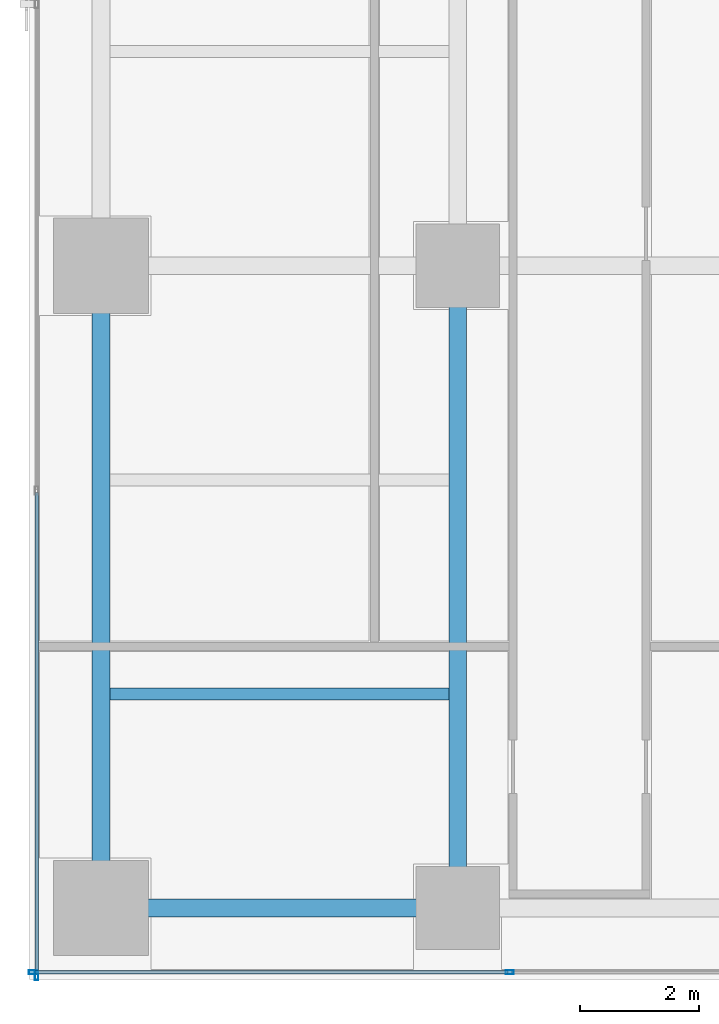
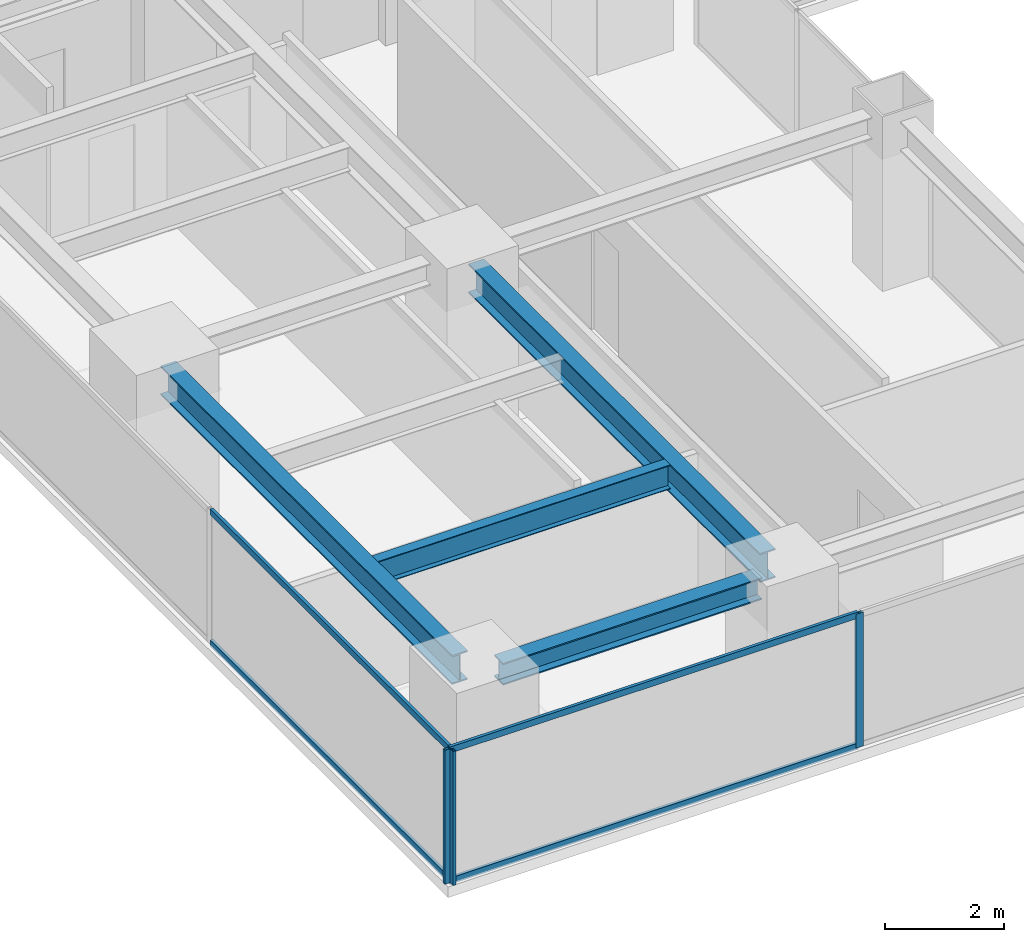
# One storey, part 2 of 29: 7 members, 4 beams, 2 elements without a shape of their own.
"""IFC4 building model written with IfcOpenShell, lengths in metres."""

from ifc_helpers import new_model, si_unit, direction, frame, origin, origin_2d, place, context, subcontext, project, spatial, hollow_rectangle, i_section, extrude, source, transform, mapped, material, layer, layer_set, material_profile, profile_set, type_object, element, aggregate, save


model = new_model("IFC4")

# Units and contexts
model_context = context("Model", 3, precision=1e-05, world=origin(), true_north=direction((0.0, 1.0)))
body_context = subcontext(model_context, "Body", "Model", "MODEL_VIEW")
ifc_project = project(units=[si_unit("LENGTHUNIT", "METRE"), si_unit("AREAUNIT", "SQUARE_METRE"), si_unit("VOLUMEUNIT", "CUBIC_METRE"), si_unit("PLANEANGLEUNIT", "RADIAN"), si_unit("MASSUNIT", "GRAM", prefix="KILO")], contexts=[model_context])

# Site, building, storey
site_placement = place(None, origin())
site = spatial("IfcSite", under=ifc_project, at=site_placement, CompositionType="ELEMENT")
building_placement = place(site_placement, origin())
building = spatial("IfcBuilding", under=site, at=building_placement, Name="Sumidabori Civic Tower", CompositionType="ELEMENT")
storey_placement = place(building_placement, frame((0.0, 0.0, 203.60009765625)))
storey = spatial("IfcBuildingStorey", under=building, at=storey_placement, Name="L52", CompositionType="ELEMENT", Elevation=203.60009765625)

# Beams
ifc_material_1 = material(Name="Steel SN490", Category="steel")
ifc_material_profile_1 = material_profile(ifc_material_1, i_section(OverallWidth=0.300048828125, OverallDepth=0.60009765625, WebThickness=0.015380859375, FlangeThickness=0.030029296875, at=origin_2d()), Name="HE 600 B")
ifc_profile_set_1 = profile_set([ifc_material_profile_1], Name="Steel SN490")
beam_type_1 = type_object("IfcBeamType", Name="BM-GIRD-600", PredefinedType="BEAM", material=ifc_profile_set_1)
shared_shape_1 = source(origin(), body_context, "Body", "SweptSolid", [
    extrude(i_section(OverallWidth=0.300048828125, OverallDepth=0.60009765625, WebThickness=0.015380859375, FlangeThickness=0.030029296875, at=origin_2d()), origin(), (0.0, 0.0, 1.0), 9.840087890625),
])
for number, where, z_axis, x_axis, name in (
    (1, (-22.800048828125, -10.320068359375, 3.079833984375), (0.0, 1.0, 0.0), (-1.0, 0.0, 0.0), "Primary Girder L52 GY-11"),
    (2, (-16.800048828125, -10.320068359375, 3.079833984375), (0.0, 1.0, 0.0), (-1.0, 0.0, 0.0), "Primary Girder L52 GY-14"),
):
    element("IfcBeam", number, at=place(storey_placement, frame(where, z_axis=z_axis, x_axis=x_axis)), inside=storey, type_object=beam_type_1, Name=name, PredefinedType="BEAM", context=body_context, shape_type="MappedRepresentation", body=[
        mapped(shared_shape_1, transform((0.0, 0.0, 0.0), x_axis=(1.0, 0.0, 0.0), y_axis=(0.0, 1.0, 0.0), z_axis=(0.0, 0.0, 1.0), scale=1.0)),
    ])
ifc_material_profile_2 = material_profile(ifc_material_1, i_section(OverallWidth=0.199951171875, OverallDepth=0.5, WebThickness=0.01025390625, FlangeThickness=0.01611328125, at=origin_2d()), Name="IPE 500")
ifc_profile_set_2 = profile_set([ifc_material_profile_2], Name="Steel SN490")
beam_type_2 = type_object("IfcBeamType", Name="BM-JST-500", PredefinedType="JOIST", material=ifc_profile_set_2)
shared_shape_2 = source(origin(), body_context, "Body", "SweptSolid", [
    extrude(i_section(OverallWidth=0.199951171875, OverallDepth=0.5, WebThickness=0.01025390625, FlangeThickness=0.01611328125, at=origin_2d()), origin(), (0.0, 0.0, 1.0), 5.699951171875),
])
beam_1_placement = place(storey_placement, frame((-22.64990234375, -7.199951171875, 3.1298828125), z_axis=(1.0, 0.0, 0.0), x_axis=(0.0, 1.0, 0.0)))
element("IfcBeam", 3, at=beam_1_placement, inside=storey, type_object=beam_type_2, Name="Outer Bay Floor Joist L52 JSTO-25", PredefinedType="JOIST", context=body_context, shape_type="MappedRepresentation", body=[
    mapped(shared_shape_2, transform((0.0, 0.0, 0.0), x_axis=(1.0, 0.0, 0.0), y_axis=(0.0, 1.0, 0.0), z_axis=(0.0, 0.0, 1.0), scale=1.0)),
])
ifc_material_profile_3 = material_profile(ifc_material_1, i_section(OverallWidth=0.300048828125, OverallDepth=0.449951171875, WebThickness=0.013916015625, FlangeThickness=0.02587890625, at=origin_2d()), Name="HE 450 B")
ifc_profile_set_3 = profile_set([ifc_material_profile_3], Name="Steel SN490")
beam_type_3 = type_object("IfcBeamType", Name="BM-GIRD-450", PredefinedType="BEAM", material=ifc_profile_set_3)
shared_shape_3 = source(origin(), body_context, "Body", "SweptSolid", [
    extrude(i_section(OverallWidth=0.300048828125, OverallDepth=0.449951171875, WebThickness=0.013916015625, FlangeThickness=0.02587890625, at=origin_2d()), origin(), (0.0, 0.0, 1.0), 5.0400390625),
])
beam_2_placement = place(storey_placement, frame((-22.320068359375, -10.800048828125, 3.15478515625), z_axis=(1.0, 0.0, 0.0), x_axis=(0.0, 1.0, 0.0)))
element("IfcBeam", 4, at=beam_2_placement, inside=storey, type_object=beam_type_3, Name="Primary Girder L52 GX-01", PredefinedType="BEAM", context=body_context, shape_type="MappedRepresentation", body=[
    mapped(shared_shape_3, transform((0.0, 0.0, 0.0), x_axis=(1.0, 0.0, 0.0), y_axis=(0.0, 1.0, 0.0), z_axis=(0.0, 0.0, 1.0), scale=1.0)),
])

# Curtain wall, members
ifc_material_2 = material(Name="Anodised Bronze Aluminium AW-6063-T6", Category="aluminium")
ifc_layer = layer(ifc_material_2, 0.179931640625, Name="Anodised Bronze Aluminium AW-6063-T6")
ifc_layer_set = layer_set([ifc_layer], Name="Anodised Bronze Aluminium AW-6063-T6")
curtain_wall_type = type_object("IfcCurtainWallType", Name="CW-SYS-5", PredefinedType="NOTDEFINED", material=ifc_layer_set)
curtain_wall_1_placement = place(storey_placement, origin())
curtain_wall_1 = element("IfcCurtainWall", 5, at=curtain_wall_1_placement, inside=storey, type_object=curtain_wall_type, Name="Curtain Wall CW:L52:R01", PredefinedType="NOTDEFINED")
ifc_material_profile_4 = material_profile(ifc_material_2, hollow_rectangle(XDim=0.06005859375, YDim=0.139892578125, WallThickness=0.0048828125, at=origin_2d()), Name="ALU MULLION 140x60")
ifc_profile_set_4 = profile_set([ifc_material_profile_4], Name="Anodised Bronze Aluminium AW-6063-T6")
member_type_1 = type_object("IfcMemberType", Name="CW-MUL-140", PredefinedType="MULLION", material=ifc_profile_set_4)
shared_shape_4 = source(origin(), body_context, "Body", "SweptSolid", [
    extrude(hollow_rectangle(XDim=0.06005859375, YDim=0.139892578125, WallThickness=0.0048828125, at=origin_2d()), origin(), (0.0, 0.0, 1.0), 2.760009765625),
])
member_1_placement = place(storey_placement, frame((-23.93994140625, -11.8798828125, 0.0), z_axis=(0.0, 0.0, 1.0), x_axis=(0.0, 1.0, 0.0)))
member_1 = element("IfcMember", 6, at=member_1_placement, type_object=member_type_1, Name="CW-5 mullion 1", PredefinedType="MULLION", context=body_context, shape_type="MappedRepresentation", body=[
    mapped(shared_shape_4, transform((0.0, 0.0, 0.0), x_axis=(1.0, 0.0, 0.0), y_axis=(0.0, 1.0, 0.0), z_axis=(0.0, 0.0, 1.0), scale=1.0)),
])
member_2_placement = place(storey_placement, frame((-15.925048828125, -11.8798828125, 0.0), z_axis=(0.0, 0.0, 1.0), x_axis=(0.0, 1.0, 0.0)))
member_2 = element("IfcMember", 7, at=member_2_placement, type_object=member_type_1, Name="CW-5 mullion 2", PredefinedType="MULLION", context=body_context, shape_type="MappedRepresentation", body=[
    mapped(shared_shape_4, transform((0.0, 0.0, 0.0), x_axis=(1.0, 0.0, 0.0), y_axis=(0.0, 1.0, 0.0), z_axis=(0.0, 0.0, 1.0), scale=1.0)),
])

# Curtain wall, member
curtain_wall_2_placement = place(storey_placement, origin())
curtain_wall_2 = element("IfcCurtainWall", 8, at=curtain_wall_2_placement, inside=storey, type_object=curtain_wall_type, Name="Curtain Wall CW:L52:R16", PredefinedType="NOTDEFINED")
member_3_placement = place(storey_placement, frame((-23.8798828125, -11.93994140625, 0.0), z_axis=(0.0, 0.0, 1.0), x_axis=(1.0, 0.0, 0.0)))
member_3 = element("IfcMember", 9, at=member_3_placement, type_object=member_type_1, Name="CW-5 mullion 5", PredefinedType="MULLION", context=body_context, shape_type="MappedRepresentation", body=[
    mapped(shared_shape_4, transform((0.0, 0.0, 0.0), x_axis=(1.0, 0.0, 0.0), y_axis=(0.0, 1.0, 0.0), z_axis=(0.0, 0.0, 1.0), scale=1.0)),
])

# Member
ifc_material_profile_5 = material_profile(ifc_material_2, hollow_rectangle(XDim=0.06005859375, YDim=0.1298828125, WallThickness=0.0048828125, at=origin_2d()), Name="ALU TRANSOM 130x60")
ifc_profile_set_5 = profile_set([ifc_material_profile_5], Name="Anodised Bronze Aluminium AW-6063-T6")
member_type_2 = type_object("IfcMemberType", Name="CW-TRN-130", PredefinedType="USERDEFINED", material=ifc_profile_set_5)
shared_shape_5 = source(origin(), body_context, "Body", "SweptSolid", [
    extrude(hollow_rectangle(XDim=0.06005859375, YDim=0.1298828125, WallThickness=0.0048828125, at=origin_2d()), origin(), (0.0, 0.0, 1.0), 7.954833984375),
])
member_4_placement = place(storey_placement, frame((-23.909912109375, -11.8798828125, 0.02978515625), z_axis=(1.0, 0.0, 0.0), x_axis=(0.0, 1.0, 0.0)))
member_4 = element("IfcMember", 10, at=member_4_placement, type_object=member_type_2, Name="CW-5 transom 1.1", ObjectType="TRANSOM", PredefinedType="USERDEFINED", context=body_context, shape_type="MappedRepresentation", body=[
    mapped(shared_shape_5, transform((0.0, 0.0, 0.0), x_axis=(1.0, 0.0, 0.0), y_axis=(0.0, 1.0, 0.0), z_axis=(0.0, 0.0, 1.0), scale=1.0)),
])

member_5_placement = place(storey_placement, frame((-23.909912109375, -11.8798828125, 2.72998046875), z_axis=(1.0, 0.0, 0.0), x_axis=(0.0, 1.0, 0.0)))
member_5 = element("IfcMember", 11, at=member_5_placement, type_object=member_type_2, Name="CW-5 transom 1.2", ObjectType="TRANSOM", PredefinedType="USERDEFINED", context=body_context, shape_type="MappedRepresentation", body=[
    mapped(shared_shape_5, transform((0.0, 0.0, 0.0), x_axis=(1.0, 0.0, 0.0), y_axis=(0.0, 1.0, 0.0), z_axis=(0.0, 0.0, 1.0), scale=1.0)),
])

aggregate(curtain_wall_1, [member_1, member_2, member_4, member_5])

shared_shape_6 = source(origin(), body_context, "Body", "SweptSolid", [
    extrude(hollow_rectangle(XDim=0.06005859375, YDim=0.1298828125, WallThickness=0.0048828125, at=origin_2d()), origin(), (0.0, 0.0, 1.0), 8.094970703125),
])
member_6_placement = place(storey_placement, frame((-23.8798828125, -3.81494140625, 0.02978515625), z_axis=(0.0, -1.0, 0.0), x_axis=(1.0, 0.0, 0.0)))
member_6 = element("IfcMember", 12, at=member_6_placement, type_object=member_type_2, Name="CW-5 transom 4.1", ObjectType="TRANSOM", PredefinedType="USERDEFINED", context=body_context, shape_type="MappedRepresentation", body=[
    mapped(shared_shape_6, transform((0.0, 0.0, 0.0), x_axis=(1.0, 0.0, 0.0), y_axis=(0.0, 1.0, 0.0), z_axis=(0.0, 0.0, 1.0), scale=1.0)),
])

member_7_placement = place(storey_placement, frame((-23.8798828125, -3.81494140625, 2.72998046875), z_axis=(0.0, -1.0, 0.0), x_axis=(1.0, 0.0, 0.0)))
member_7 = element("IfcMember", 13, at=member_7_placement, type_object=member_type_2, Name="CW-5 transom 4.2", ObjectType="TRANSOM", PredefinedType="USERDEFINED", context=body_context, shape_type="MappedRepresentation", body=[
    mapped(shared_shape_6, transform((0.0, 0.0, 0.0), x_axis=(1.0, 0.0, 0.0), y_axis=(0.0, 1.0, 0.0), z_axis=(0.0, 0.0, 1.0), scale=1.0)),
])

aggregate(curtain_wall_2, [member_3, member_6, member_7])

save(model, "model.ifc")
